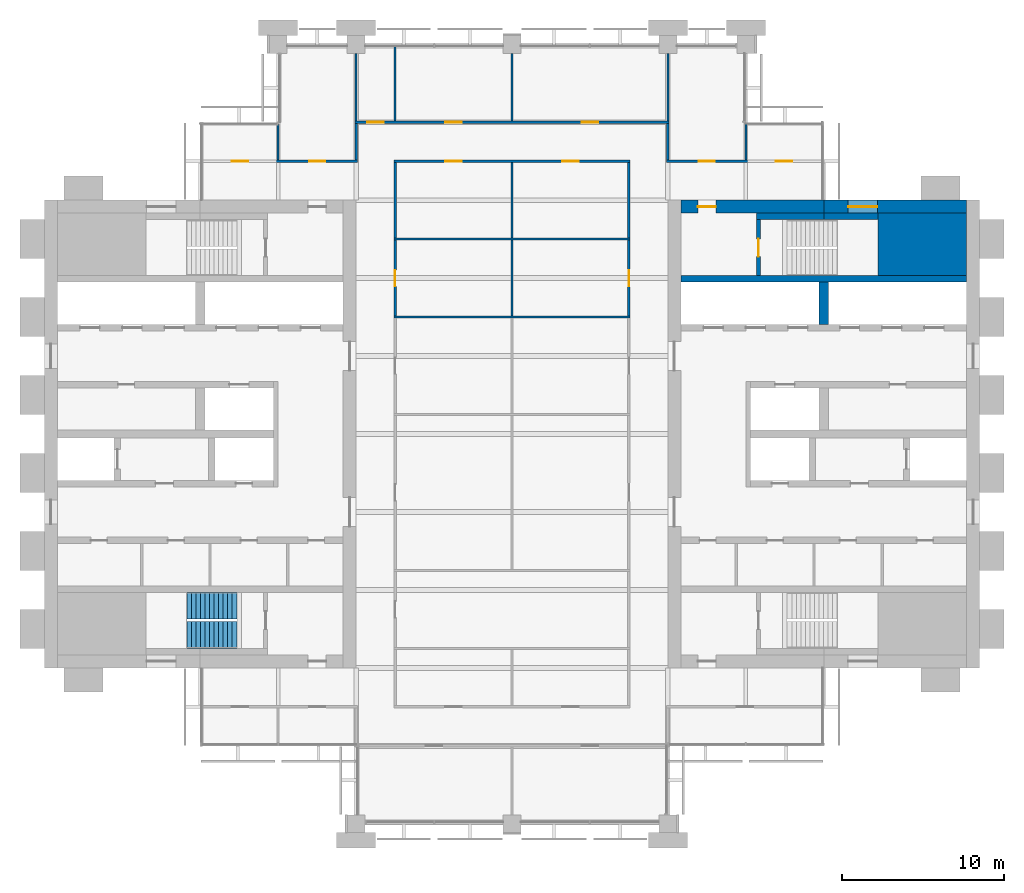
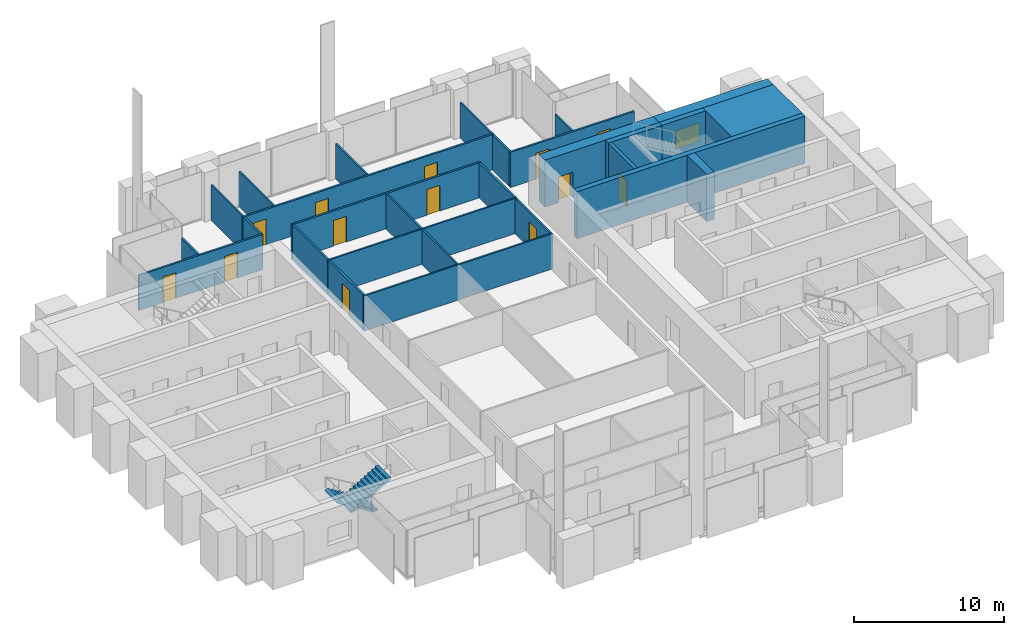
# One storey, part 11 of 13: 28 walls, 13 doors, 2 stair flights, 1 window, 14 openings, 1 element without a shape of its own.
"""IFC4 building model written with IfcOpenShell, lengths in metres."""

from ifc_helpers import new_model, si_unit, direction, frame, frame_2d, origin, place, context, subcontext, project, spatial, polyline, rectangle, outline, extrude, material, layer, layer_set, type_object, element, fill, aggregate, save


model = new_model("IFC4")

# Units and contexts
model_context = context("Model", 3, precision=1e-05, world=origin(), true_north=direction((0.0, 1.0)))
body_context = subcontext(model_context, "Body", "Model", "MODEL_VIEW")
ifc_project = project(units=[si_unit("LENGTHUNIT", "METRE"), si_unit("AREAUNIT", "SQUARE_METRE"), si_unit("VOLUMEUNIT", "CUBIC_METRE"), si_unit("PLANEANGLEUNIT", "RADIAN"), si_unit("MASSUNIT", "GRAM", prefix="KILO")], contexts=[model_context])

# Site, building, storey
site_placement = place(None, origin())
site = spatial("IfcSite", under=ifc_project, at=site_placement, CompositionType="ELEMENT")
building_placement = place(site_placement, origin())
building = spatial("IfcBuilding", under=site, at=building_placement, Name="Baori Bourse Tower", CompositionType="ELEMENT")
storey_placement = place(building_placement, frame((0.0, 0.0, 201.199951171875)))
storey = spatial("IfcBuildingStorey", under=building, at=storey_placement, Name="L43", CompositionType="ELEMENT", Elevation=201.199951171875)

# Wall
ifc_material_1 = material(Name="Concrete f'c 50 MPa", Category="concrete")
wall_type_1 = type_object("IfcWallType", Name="Core corner block f'c 50", PredefinedType="SHEAR", material=ifc_material_1)
wall_1_placement = place(storey_placement, frame((51.35009765625, 35.675048828125, 0.0), z_axis=(0.0, 0.0, 1.0), x_axis=(1.0, 0.0, 0.0)))
element("IfcWall", 1, at=wall_1_placement, inside=storey, type_object=wall_type_1, Name="Core wall E24", PredefinedType="SHEAR", context=body_context, shape_type="SweptSolid", body=[
    extrude(rectangle(XDim=5.449951171875, YDim=3.85009765625, at=frame_2d((2.72509765625, 0.0))), origin(), (0.0, 0.0, 1.0), 3.840087890625),
])

# Wall, opening, window
ifc_material_2 = material(Name="Concrete f'c 50 MPa", Category="concrete")
ifc_layer_1 = layer(ifc_material_2, 0.800048828125)
ifc_layer_set_1 = layer_set([ifc_layer_1], Name="Core wall 800 f'c 50")
wall_type_2 = type_object("IfcWallType", Name="Core wall 800 f'c 50", PredefinedType="SHEAR", material=ifc_layer_set_1)
wall_2_placement = place(storey_placement, frame((48.0, 38.0, 0.0), z_axis=(0.0, 0.0, 1.0), x_axis=(1.0, 0.0, 0.0)))
wall_2 = element("IfcWall", 2, at=wall_2_placement, inside=storey, type_object=wall_type_2, Name="Core wall E28", PredefinedType="SHEAR", context=body_context, shape_type="SweptSolid", body=[
    extrude(rectangle(XDim=8.800048828125, YDim=0.800048828125, at=frame_2d((4.39990234375, 0.0))), origin(), (0.0, 0.0, 1.0), 3.840087890625),
])
opening_1_placement = place(wall_2_placement, frame((1.5, 0.0, 0.89990234375)))
opening_1 = element("IfcOpeningElement", 3, at=opening_1_placement, cuts=wall_2, Name="Opening L43-KW204", PredefinedType="OPENING", context=body_context, shape_type="SweptSolid", body=[
    extrude(rectangle(XDim=1.800048828125, YDim=1.5, at=frame_2d((0.89990234375, 0.75))), frame((0.0, 0.409912109375, 0.0), z_axis=(0.0, -1.0, 0.0), x_axis=(1.0, 0.0, 0.0)), (0.0, 0.0, 1.0), 0.820068359375),
])
ifc_material_3 = material(Name="Pale anodised aluminium", Category="aluminium")
window_type = type_object("IfcWindowType", Name="Stair window 1800 x 1500", PartitioningType="SINGLE_PANEL", PredefinedType="WINDOW", material=ifc_material_3)
window_placement = place(opening_1_placement, origin())
window = element("IfcWindow", 4, at=window_placement, inside=storey, type_object=window_type, Name="Stair window E L43 4", OverallHeight=1.5, OverallWidth=1.800048828125, PartitioningType="SINGLE_PANEL", PredefinedType="WINDOW", context=body_context, shape_type="SweptSolid", body=[
    extrude(rectangle(XDim=1.800048828125, YDim=1.5, at=frame_2d((0.89990234375, 0.75))), frame((0.0, 0.030029296875, 0.0), z_axis=(0.0, -1.0, 0.0), x_axis=(1.0, 0.0, 0.0)), (0.0, 0.0, 1.0), 0.06005859375),
])
fill(opening_1, window)

# Wall, opening, door
wall_3_placement = place(storey_placement, frame((39.199951171875, 38.0, 0.0), z_axis=(0.0, 0.0, 1.0), x_axis=(1.0, 0.0, 0.0)))
wall_3 = element("IfcWall", 5, at=wall_3_placement, inside=storey, type_object=wall_type_2, Name="Core wall E29", PredefinedType="SHEAR", context=body_context, shape_type="SweptSolid", body=[
    extrude(rectangle(XDim=8.800048828125, YDim=0.800048828125, at=frame_2d((4.39990234375, 0.0))), origin(), (0.0, 0.0, 1.0), 3.840087890625),
])
opening_2_placement = place(wall_3_placement, frame((1.050048828125, 0.0, 0.0)))
opening_2 = element("IfcOpeningElement", 6, at=opening_2_placement, cuts=wall_3, Name="Opening L43-D204", PredefinedType="OPENING", context=body_context, shape_type="SweptSolid", body=[
    extrude(rectangle(XDim=1.10009765625, YDim=2.10009765625, at=frame_2d((0.550048828125, 1.050048828125))), frame((0.0, 0.409912109375, 0.0), z_axis=(0.0, -1.0, 0.0), x_axis=(1.0, 0.0, 0.0)), (0.0, 0.0, 1.0), 0.820068359375),
])
ifc_material_4 = material(Name="Painted steel door", Category="steel")
door_type_1 = type_object("IfcDoorType", Name="Stair door 1100", OperationType="SINGLE_SWING_LEFT", PredefinedType="DOOR", material=ifc_material_4)
door_1_placement = place(opening_2_placement, origin())
door_1 = element("IfcDoor", 7, at=door_1_placement, inside=storey, type_object=door_type_1, Name="Stair vestibule door B E L43", OperationType="SINGLE_SWING_LEFT", OverallHeight=2.10009765625, OverallWidth=1.10009765625, PredefinedType="DOOR", context=body_context, shape_type="SweptSolid", body=[
    extrude(rectangle(XDim=1.10009765625, YDim=2.10009765625, at=frame_2d((0.550048828125, 1.050048828125))), frame((0.0, 0.02490234375, 0.0), z_axis=(0.0, -1.0, 0.0), x_axis=(1.0, 0.0, 0.0)), (0.0, 0.0, 1.0), 0.050048828125),
])
fill(opening_2, door_1)

# Wall, openings, doors
ifc_material_5 = material(Name="Gypsum board partition")
ifc_layer_2 = layer(ifc_material_5, 0.14990234375)
ifc_layer_set_2 = layer_set([ifc_layer_2], Name="Corridor partition 150")
wall_type_3 = type_object("IfcWallType", Name="Corridor partition 150", PredefinedType="PARTITIONING", material=ifc_layer_set_2)
wall_4_placement = place(storey_placement, frame((9.699951171875, 40.800048828125, 0.0), z_axis=(0.0, 0.0, 1.0), x_axis=(1.0, 0.0, 0.0)))
wall_4 = element("IfcWall", 8, at=wall_4_placement, inside=storey, type_object=wall_type_3, Name="Partition", PredefinedType="PARTITIONING", context=body_context, shape_type="SweptSolid", body=[
    extrude(rectangle(XDim=9.574951171875, YDim=0.14990234375, at=frame_2d((4.78759765625, 0.0))), origin(), (0.0, 0.0, 1.0), 2.869873046875),
])
opening_3_placement = place(wall_4_placement, frame((1.85009765625, 0.0, 0.0)))
opening_3 = element("IfcOpeningElement", 9, at=opening_3_placement, cuts=wall_4, Name="Opening L43-D08", PredefinedType="OPENING", context=body_context, shape_type="SweptSolid", body=[
    extrude(rectangle(XDim=1.0, YDim=2.10009765625, at=frame_2d((0.5, 1.050048828125))), frame((0.0, 0.0849609375, 0.0), z_axis=(0.0, -1.0, 0.0), x_axis=(1.0, 0.0, 0.0)), (0.0, 0.0, 1.0), 0.169921875),
])
opening_4_placement = place(wall_4_placement, frame((6.60009765625, 0.0, 0.0)))
opening_4 = element("IfcOpeningElement", 10, at=opening_4_placement, cuts=wall_4, Name="Opening L43-D09", PredefinedType="OPENING", context=body_context, shape_type="SweptSolid", body=[
    extrude(rectangle(XDim=1.0, YDim=2.10009765625, at=frame_2d((0.5, 1.050048828125))), frame((0.0, 0.0849609375, 0.0), z_axis=(0.0, -1.0, 0.0), x_axis=(1.0, 0.0, 0.0)), (0.0, 0.0, 1.0), 0.169921875),
])
ifc_material_6 = material(Name="Timber door leaf", Category="wood")
door_type_2 = type_object("IfcDoorType", Name="Door 1000 x 2100", OperationType="SINGLE_SWING_LEFT", PredefinedType="DOOR", material=ifc_material_6)
door_2_placement = place(opening_3_placement, origin())
door_2 = element("IfcDoor", 11, at=door_2_placement, inside=storey, type_object=door_type_2, Name="Door", OperationType="SINGLE_SWING_RIGHT", OverallHeight=2.10009765625, OverallWidth=1.0, PredefinedType="DOOR", context=body_context, shape_type="SweptSolid", body=[
    extrude(rectangle(XDim=1.0, YDim=2.10009765625, at=frame_2d((0.5, 1.050048828125))), frame((0.0, 0.02490234375, 0.0), z_axis=(0.0, -1.0, 0.0), x_axis=(1.0, 0.0, 0.0)), (0.0, 0.0, 1.0), 0.050048828125),
])
fill(opening_3, door_2)
door_3_placement = place(opening_4_placement, origin())
door_3 = element("IfcDoor", 12, at=door_3_placement, inside=storey, type_object=door_type_2, Name="Door", OperationType="SINGLE_SWING_LEFT", OverallHeight=2.10009765625, OverallWidth=1.0, PredefinedType="DOOR", context=body_context, shape_type="SweptSolid", body=[
    extrude(rectangle(XDim=1.0, YDim=2.10009765625, at=frame_2d((0.5, 1.050048828125))), frame((0.0, 0.02490234375, 0.0), z_axis=(0.0, -1.0, 0.0), x_axis=(1.0, 0.0, 0.0)), (0.0, 0.0, 1.0), 0.050048828125),
])
fill(opening_4, door_3)

wall_5_placement = place(storey_placement, frame((21.52490234375, 40.800048828125, 0.0), z_axis=(0.0, 0.0, 1.0), x_axis=(1.0, 0.0, 0.0)))
wall_5 = element("IfcWall", 13, at=wall_5_placement, inside=storey, type_object=wall_type_3, Name="Partition", PredefinedType="PARTITIONING", context=body_context, shape_type="SweptSolid", body=[
    extrude(rectangle(XDim=14.550048828125, YDim=0.14990234375, at=frame_2d((7.27490234375, 0.0))), origin(), (0.0, 0.0, 1.0), 2.869873046875),
])
opening_5_placement = place(wall_5_placement, frame((3.175048828125, 0.0, 0.0)))
opening_5 = element("IfcOpeningElement", 14, at=opening_5_placement, cuts=wall_5, Name="Opening L43-D10", PredefinedType="OPENING", context=body_context, shape_type="SweptSolid", body=[
    extrude(rectangle(XDim=1.0, YDim=2.10009765625, at=frame_2d((0.5, 1.050048828125))), frame((0.0, 0.0849609375, 0.0), z_axis=(0.0, -1.0, 0.0), x_axis=(1.0, 0.0, 0.0)), (0.0, 0.0, 1.0), 0.169921875),
])
opening_6_placement = place(wall_5_placement, frame((10.375, 0.0, 0.0)))
opening_6 = element("IfcOpeningElement", 15, at=opening_6_placement, cuts=wall_5, Name="Opening L43-D11", PredefinedType="OPENING", context=body_context, shape_type="SweptSolid", body=[
    extrude(rectangle(XDim=1.0, YDim=2.10009765625, at=frame_2d((0.5, 1.050048828125))), frame((0.0, 0.0849609375, 0.0), z_axis=(0.0, -1.0, 0.0), x_axis=(1.0, 0.0, 0.0)), (0.0, 0.0, 1.0), 0.169921875),
])
door_4_placement = place(opening_5_placement, origin())
door_4 = element("IfcDoor", 16, at=door_4_placement, inside=storey, type_object=door_type_2, Name="Door", OperationType="SINGLE_SWING_LEFT", OverallHeight=2.10009765625, OverallWidth=1.0, PredefinedType="DOOR", context=body_context, shape_type="SweptSolid", body=[
    extrude(rectangle(XDim=1.0, YDim=2.10009765625, at=frame_2d((0.5, 1.050048828125))), frame((0.0, 0.02490234375, 0.0), z_axis=(0.0, -1.0, 0.0), x_axis=(1.0, 0.0, 0.0)), (0.0, 0.0, 1.0), 0.050048828125),
])
fill(opening_5, door_4)
door_5_placement = place(opening_6_placement, origin())
door_5 = element("IfcDoor", 17, at=door_5_placement, inside=storey, type_object=door_type_2, Name="Door", OperationType="SINGLE_SWING_RIGHT", OverallHeight=2.10009765625, OverallWidth=1.0, PredefinedType="DOOR", context=body_context, shape_type="SweptSolid", body=[
    extrude(rectangle(XDim=1.0, YDim=2.10009765625, at=frame_2d((0.5, 1.050048828125))), frame((0.0, 0.02490234375, 0.0), z_axis=(0.0, -1.0, 0.0), x_axis=(1.0, 0.0, 0.0)), (0.0, 0.0, 1.0), 0.050048828125),
])
fill(opening_6, door_5)

wall_6_placement = place(storey_placement, frame((38.324951171875, 40.800048828125, 0.0), z_axis=(0.0, 0.0, 1.0), x_axis=(1.0, 0.0, 0.0)))
wall_6 = element("IfcWall", 18, at=wall_6_placement, inside=storey, type_object=wall_type_3, Name="Partition", PredefinedType="PARTITIONING", context=body_context, shape_type="SweptSolid", body=[
    extrude(rectangle(XDim=9.574951171875, YDim=0.14990234375, at=frame_2d((4.78759765625, 0.0))), origin(), (0.0, 0.0, 1.0), 2.869873046875),
])
opening_7_placement = place(wall_6_placement, frame((1.97509765625, 0.0, 0.0)))
opening_7 = element("IfcOpeningElement", 19, at=opening_7_placement, cuts=wall_6, Name="Opening L43-D12", PredefinedType="OPENING", context=body_context, shape_type="SweptSolid", body=[
    extrude(rectangle(XDim=1.0, YDim=2.10009765625, at=frame_2d((0.5, 1.050048828125))), frame((0.0, 0.0849609375, 0.0), z_axis=(0.0, -1.0, 0.0), x_axis=(1.0, 0.0, 0.0)), (0.0, 0.0, 1.0), 0.169921875),
])
opening_8_placement = place(wall_6_placement, frame((6.72509765625, 0.0, 0.0)))
opening_8 = element("IfcOpeningElement", 20, at=opening_8_placement, cuts=wall_6, Name="Opening L43-D13", PredefinedType="OPENING", context=body_context, shape_type="SweptSolid", body=[
    extrude(rectangle(XDim=1.0, YDim=2.10009765625, at=frame_2d((0.5, 1.050048828125))), frame((0.0, 0.0849609375, 0.0), z_axis=(0.0, -1.0, 0.0), x_axis=(1.0, 0.0, 0.0)), (0.0, 0.0, 1.0), 0.169921875),
])
door_6_placement = place(opening_7_placement, origin())
door_6 = element("IfcDoor", 21, at=door_6_placement, inside=storey, type_object=door_type_2, Name="Door", OperationType="SINGLE_SWING_RIGHT", OverallHeight=2.10009765625, OverallWidth=1.0, PredefinedType="DOOR", context=body_context, shape_type="SweptSolid", body=[
    extrude(rectangle(XDim=1.0, YDim=2.10009765625, at=frame_2d((0.5, 1.050048828125))), frame((0.0, 0.02490234375, 0.0), z_axis=(0.0, -1.0, 0.0), x_axis=(1.0, 0.0, 0.0)), (0.0, 0.0, 1.0), 0.050048828125),
])
fill(opening_7, door_6)
door_7_placement = place(opening_8_placement, origin())
door_7 = element("IfcDoor", 22, at=door_7_placement, inside=storey, type_object=door_type_2, Name="Door", OperationType="SINGLE_SWING_LEFT", OverallHeight=2.10009765625, OverallWidth=1.0, PredefinedType="DOOR", context=body_context, shape_type="SweptSolid", body=[
    extrude(rectangle(XDim=1.0, YDim=2.10009765625, at=frame_2d((0.5, 1.050048828125))), frame((0.0, 0.02490234375, 0.0), z_axis=(0.0, -1.0, 0.0), x_axis=(1.0, 0.0, 0.0)), (0.0, 0.0, 1.0), 0.050048828125),
])
fill(opening_8, door_7)

wall_7_placement = place(storey_placement, frame((19.125, 43.199951171875, 0.0), z_axis=(0.0, 0.0, 1.0), x_axis=(1.0, 0.0, 0.0)))
wall_7 = element("IfcWall", 23, at=wall_7_placement, inside=storey, type_object=wall_type_3, Name="Partition", PredefinedType="PARTITIONING", context=body_context, shape_type="SweptSolid", body=[
    extrude(rectangle(XDim=19.35009765625, YDim=0.14990234375, at=frame_2d((9.675048828125, 0.0))), origin(), (0.0, 0.0, 1.0), 2.869873046875),
])
opening_9_placement = place(wall_7_placement, frame((0.77490234375, 0.0, 0.0)))
opening_9 = element("IfcOpeningElement", 24, at=opening_9_placement, cuts=wall_7, Name="Opening L43-D14", PredefinedType="OPENING", context=body_context, shape_type="SweptSolid", body=[
    extrude(rectangle(XDim=1.0, YDim=2.10009765625, at=frame_2d((0.5, 1.050048828125))), frame((0.0, 0.0849609375, 0.0), z_axis=(0.0, -1.0, 0.0), x_axis=(1.0, 0.0, 0.0)), (0.0, 0.0, 1.0), 0.169921875),
])
opening_10_placement = place(wall_7_placement, frame((5.574951171875, 0.0, 0.0)))
opening_10 = element("IfcOpeningElement", 25, at=opening_10_placement, cuts=wall_7, Name="Opening L43-D15", PredefinedType="OPENING", context=body_context, shape_type="SweptSolid", body=[
    extrude(rectangle(XDim=1.0, YDim=2.10009765625, at=frame_2d((0.5, 1.050048828125))), frame((0.0, 0.0849609375, 0.0), z_axis=(0.0, -1.0, 0.0), x_axis=(1.0, 0.0, 0.0)), (0.0, 0.0, 1.0), 0.169921875),
])
opening_11_placement = place(wall_7_placement, frame((13.97509765625, 0.0, 0.0)))
opening_11 = element("IfcOpeningElement", 26, at=opening_11_placement, cuts=wall_7, Name="Opening L43-D16", PredefinedType="OPENING", context=body_context, shape_type="SweptSolid", body=[
    extrude(rectangle(XDim=1.0, YDim=2.10009765625, at=frame_2d((0.5, 1.050048828125))), frame((0.0, 0.0849609375, 0.0), z_axis=(0.0, -1.0, 0.0), x_axis=(1.0, 0.0, 0.0)), (0.0, 0.0, 1.0), 0.169921875),
])
door_8_placement = place(opening_9_placement, origin())
door_8 = element("IfcDoor", 27, at=door_8_placement, inside=storey, type_object=door_type_2, Name="Door", OperationType="SINGLE_SWING_RIGHT", OverallHeight=2.10009765625, OverallWidth=1.0, PredefinedType="DOOR", context=body_context, shape_type="SweptSolid", body=[
    extrude(rectangle(XDim=1.0, YDim=2.10009765625, at=frame_2d((0.5, 1.050048828125))), frame((0.0, 0.02490234375, 0.0), z_axis=(0.0, -1.0, 0.0), x_axis=(1.0, 0.0, 0.0)), (0.0, 0.0, 1.0), 0.050048828125),
])
fill(opening_9, door_8)
door_9_placement = place(opening_10_placement, origin())
door_9 = element("IfcDoor", 28, at=door_9_placement, inside=storey, type_object=door_type_2, Name="Door", OperationType="SINGLE_SWING_RIGHT", OverallHeight=2.10009765625, OverallWidth=1.0, PredefinedType="DOOR", context=body_context, shape_type="SweptSolid", body=[
    extrude(rectangle(XDim=1.0, YDim=2.10009765625, at=frame_2d((0.5, 1.050048828125))), frame((0.0, 0.02490234375, 0.0), z_axis=(0.0, -1.0, 0.0), x_axis=(1.0, 0.0, 0.0)), (0.0, 0.0, 1.0), 0.050048828125),
])
fill(opening_10, door_9)
door_10_placement = place(opening_11_placement, origin())
door_10 = element("IfcDoor", 29, at=door_10_placement, inside=storey, type_object=door_type_2, Name="Door", OperationType="SINGLE_SWING_LEFT", OverallHeight=2.10009765625, OverallWidth=1.0, PredefinedType="DOOR", context=body_context, shape_type="SweptSolid", body=[
    extrude(rectangle(XDim=1.0, YDim=2.10009765625, at=frame_2d((0.5, 1.050048828125))), frame((0.0, 0.02490234375, 0.0), z_axis=(0.0, -1.0, 0.0), x_axis=(1.0, 0.0, 0.0)), (0.0, 0.0, 1.0), 0.050048828125),
])
fill(opening_11, door_10)

# Wall
wall_8_placement = place(storey_placement, frame((19.199951171875, 40.875, 0.0), z_axis=(0.0, 0.0, 1.0), x_axis=(0.0, 1.0, 0.0)))
element("IfcWall", 30, at=wall_8_placement, inside=storey, type_object=wall_type_3, Name="Partition", PredefinedType="PARTITIONING", context=body_context, shape_type="SweptSolid", body=[
    extrude(rectangle(XDim=2.25, YDim=0.14990234375, at=frame_2d((1.125, 0.0))), origin(), (0.0, 0.0, 1.0), 2.869873046875),
])

# Wall, opening, door
wall_9_placement = place(storey_placement, frame((21.60009765625, 31.262451171875, 0.0), z_axis=(0.0, 0.0, 1.0), x_axis=(0.0, 1.0, 0.0)))
wall_9 = element("IfcWall", 31, at=wall_9_placement, inside=storey, type_object=wall_type_3, Name="Partition", PredefinedType="PARTITIONING", context=body_context, shape_type="SweptSolid", body=[
    extrude(rectangle(XDim=4.675048828125, YDim=0.14990234375, at=frame_2d((2.33740234375, 0.0))), origin(), (0.0, 0.0, 1.0), 2.869873046875),
])
opening_12_placement = place(wall_9_placement, frame((1.83740234375, 0.0, 0.0)))
opening_12 = element("IfcOpeningElement", 32, at=opening_12_placement, cuts=wall_9, Name="Opening L43-D20", PredefinedType="OPENING", context=body_context, shape_type="SweptSolid", body=[
    extrude(rectangle(XDim=1.0, YDim=2.10009765625, at=frame_2d((0.5, 1.050048828125))), frame((0.0, 0.0849609375, 0.0), z_axis=(0.0, -1.0, 0.0), x_axis=(1.0, 0.0, 0.0)), (0.0, 0.0, 1.0), 0.169921875),
])
door_11_placement = place(opening_12_placement, origin())
door_11 = element("IfcDoor", 33, at=door_11_placement, inside=storey, type_object=door_type_2, Name="Door", OperationType="SINGLE_SWING_RIGHT", OverallHeight=2.10009765625, OverallWidth=1.0, PredefinedType="DOOR", context=body_context, shape_type="SweptSolid", body=[
    extrude(rectangle(XDim=1.0, YDim=2.10009765625, at=frame_2d((0.5, 1.050048828125))), frame((0.0, 0.02490234375, 0.0), z_axis=(0.0, -1.0, 0.0), x_axis=(1.0, 0.0, 0.0)), (0.0, 0.0, 1.0), 0.050048828125),
])
fill(opening_12, door_11)

# Wall
wall_10_placement = place(storey_placement, frame((21.60009765625, 36.0625, 0.0), z_axis=(0.0, 0.0, 1.0), x_axis=(0.0, 1.0, 0.0)))
element("IfcWall", 34, at=wall_10_placement, inside=storey, type_object=wall_type_3, Name="Partition", PredefinedType="PARTITIONING", context=body_context, shape_type="SweptSolid", body=[
    extrude(rectangle(XDim=4.66259765625, YDim=0.14990234375, at=frame_2d((2.331298828125, 0.0))), origin(), (0.0, 0.0, 1.0), 2.869873046875),
])

# Wall, opening, door
wall_11_placement = place(storey_placement, frame((36.0, 31.262451171875, 0.0), z_axis=(0.0, 0.0, 1.0), x_axis=(0.0, 1.0, 0.0)))
wall_11 = element("IfcWall", 35, at=wall_11_placement, inside=storey, type_object=wall_type_3, Name="Partition", PredefinedType="PARTITIONING", context=body_context, shape_type="SweptSolid", body=[
    extrude(rectangle(XDim=4.675048828125, YDim=0.14990234375, at=frame_2d((2.33740234375, 0.0))), origin(), (0.0, 0.0, 1.0), 2.869873046875),
])
opening_13_placement = place(wall_11_placement, frame((1.83740234375, 0.0, 0.0)))
opening_13 = element("IfcOpeningElement", 36, at=opening_13_placement, cuts=wall_11, Name="Opening L43-D23", PredefinedType="OPENING", context=body_context, shape_type="SweptSolid", body=[
    extrude(rectangle(XDim=1.0, YDim=2.10009765625, at=frame_2d((0.5, 1.050048828125))), frame((0.0, 0.0849609375, 0.0), z_axis=(0.0, -1.0, 0.0), x_axis=(1.0, 0.0, 0.0)), (0.0, 0.0, 1.0), 0.169921875),
])
door_12_placement = place(opening_13_placement, origin())
door_12 = element("IfcDoor", 37, at=door_12_placement, inside=storey, type_object=door_type_2, Name="Door", OperationType="SINGLE_SWING_LEFT", OverallHeight=2.10009765625, OverallWidth=1.0, PredefinedType="DOOR", context=body_context, shape_type="SweptSolid", body=[
    extrude(rectangle(XDim=1.0, YDim=2.10009765625, at=frame_2d((0.5, 1.050048828125))), frame((0.0, 0.02490234375, 0.0), z_axis=(0.0, -1.0, 0.0), x_axis=(1.0, 0.0, 0.0)), (0.0, 0.0, 1.0), 0.050048828125),
])
fill(opening_13, door_12)

# Walls
wall_12_placement = place(storey_placement, frame((36.0, 36.0625, 0.0), z_axis=(0.0, 0.0, 1.0), x_axis=(0.0, 1.0, 0.0)))
element("IfcWall", 38, at=wall_12_placement, inside=storey, type_object=wall_type_3, Name="Partition", PredefinedType="PARTITIONING", context=body_context, shape_type="SweptSolid", body=[
    extrude(rectangle(XDim=4.66259765625, YDim=0.14990234375, at=frame_2d((2.331298828125, 0.0))), origin(), (0.0, 0.0, 1.0), 2.869873046875),
])
wall_13_placement = place(storey_placement, frame((38.39990234375, 40.875, 0.0), z_axis=(0.0, 0.0, 1.0), x_axis=(0.0, 1.0, 0.0)))
element("IfcWall", 39, at=wall_13_placement, inside=storey, type_object=wall_type_3, Name="Partition", PredefinedType="PARTITIONING", context=body_context, shape_type="SweptSolid", body=[
    extrude(rectangle(XDim=2.25, YDim=0.14990234375, at=frame_2d((1.125, 0.0))), origin(), (0.0, 0.0, 1.0), 2.869873046875),
])
ifc_material_7 = material(Name="Gypsum board partition")
ifc_layer_3 = layer(ifc_material_7, 0.125)
ifc_layer_set_3 = layer_set([ifc_layer_3], Name="Partition 125")
wall_type_4 = type_object("IfcWallType", Name="Partition 125", PredefinedType="PARTITIONING", material=ifc_layer_set_3)
for number, where, z_axis, x_axis, name in (
    (40, (21.52490234375, 31.199951171875, 0.0), (0.0, 0.0, 1.0), (1.0, 0.0, 0.0), "Partition"),
    (41, (21.52490234375, 36.0, 0.0), (0.0, 0.0, 1.0), (1.0, 0.0, 0.0), "Partition"),
):
    element("IfcWall", number, at=place(storey_placement, frame(where, z_axis=z_axis, x_axis=x_axis)), inside=storey, type_object=wall_type_4, Name=name, PredefinedType="PARTITIONING", context=body_context, shape_type="SweptSolid", body=[
        extrude(rectangle(XDim=14.550048828125, YDim=0.125, at=frame_2d((7.27490234375, 0.0))), origin(), (0.0, 0.0, 1.0), 2.869873046875),
    ])
wall_14_placement = place(storey_placement, frame((14.39990234375, 40.875, 0.0), z_axis=(0.0, 0.0, 1.0), x_axis=(0.0, 1.0, 0.0)))
element("IfcWall", 42, at=wall_14_placement, inside=storey, type_object=wall_type_4, Name="Partition", PredefinedType="PARTITIONING", context=body_context, shape_type="SweptSolid", body=[
    extrude(rectangle(XDim=2.22509765625, YDim=0.125, at=frame_2d((1.112548828125, 0.0))), origin(), (0.0, 0.0, 1.0), 2.869873046875),
])
wall_15_placement = place(storey_placement, frame((19.199951171875, 43.27490234375, 0.0), z_axis=(0.0, 0.0, 1.0), x_axis=(0.0, 1.0, 0.0)))
element("IfcWall", 43, at=wall_15_placement, inside=storey, type_object=wall_type_4, Name="Partition", PredefinedType="PARTITIONING", context=body_context, shape_type="SweptSolid", body=[
    extrude(rectangle(XDim=4.175048828125, YDim=0.125, at=frame_2d((2.08740234375, 0.0))), origin(), (0.0, 0.0, 1.0), 2.869873046875),
])
wall_16_placement = place(storey_placement, frame((21.60009765625, 43.27490234375, 0.0), z_axis=(0.0, 0.0, 1.0), x_axis=(0.0, 1.0, 0.0)))
element("IfcWall", 44, at=wall_16_placement, inside=storey, type_object=wall_type_4, Name="Partition", PredefinedType="PARTITIONING", context=body_context, shape_type="SweptSolid", body=[
    extrude(rectangle(XDim=4.625, YDim=0.125, at=frame_2d((2.3125, 0.0))), origin(), (0.0, 0.0, 1.0), 2.869873046875),
])
wall_17_placement = place(storey_placement, frame((28.800048828125, 31.262451171875, 0.0), z_axis=(0.0, 0.0, 1.0), x_axis=(0.0, 1.0, 0.0)))
element("IfcWall", 45, at=wall_17_placement, inside=storey, type_object=wall_type_4, Name="Partition", PredefinedType="PARTITIONING", context=body_context, shape_type="SweptSolid", body=[
    extrude(rectangle(XDim=4.675048828125, YDim=0.125, at=frame_2d((2.33740234375, 0.0))), origin(), (0.0, 0.0, 1.0), 2.869873046875),
])
wall_18_placement = place(storey_placement, frame((28.800048828125, 36.0625, 0.0), z_axis=(0.0, 0.0, 1.0), x_axis=(0.0, 1.0, 0.0)))
element("IfcWall", 46, at=wall_18_placement, inside=storey, type_object=wall_type_4, Name="Partition", PredefinedType="PARTITIONING", context=body_context, shape_type="SweptSolid", body=[
    extrude(rectangle(XDim=4.66259765625, YDim=0.125, at=frame_2d((2.331298828125, 0.0))), origin(), (0.0, 0.0, 1.0), 2.869873046875),
])
for number, where, z_axis, x_axis, name in (
    (47, (28.800048828125, 43.27490234375, 0.0), (0.0, 0.0, 1.0), (0.0, 1.0, 0.0), "Partition"),
    (48, (38.39990234375, 43.27490234375, 0.0), (0.0, 0.0, 1.0), (0.0, 1.0, 0.0), "Partition"),
):
    element("IfcWall", number, at=place(storey_placement, frame(where, z_axis=z_axis, x_axis=x_axis)), inside=storey, type_object=wall_type_4, Name=name, PredefinedType="PARTITIONING", context=body_context, shape_type="SweptSolid", body=[
        extrude(rectangle(XDim=4.175048828125, YDim=0.125, at=frame_2d((2.08740234375, 0.0))), origin(), (0.0, 0.0, 1.0), 2.869873046875),
    ])
wall_19_placement = place(storey_placement, frame((43.199951171875, 40.875, 0.0), z_axis=(0.0, 0.0, 1.0), x_axis=(0.0, 1.0, 0.0)))
element("IfcWall", 49, at=wall_19_placement, inside=storey, type_object=wall_type_4, Name="Partition", PredefinedType="PARTITIONING", context=body_context, shape_type="SweptSolid", body=[
    extrude(rectangle(XDim=2.22509765625, YDim=0.125, at=frame_2d((1.112548828125, 0.0))), origin(), (0.0, 0.0, 1.0), 2.869873046875),
])

# Wall, opening, door
ifc_material_8 = material(Name="Concrete f'c 50 MPa", Category="concrete")
ifc_layer_4 = layer(ifc_material_8, 0.25)
ifc_layer_set_4 = layer_set([ifc_layer_4], Name="Shaft wall 250 f'c 50")
wall_type_5 = type_object("IfcWallType", Name="Shaft wall 250 f'c 50", PredefinedType="SHEAR", material=ifc_layer_set_4)
wall_20_placement = place(storey_placement, frame((43.97509765625, 33.75, 0.0), z_axis=(0.0, 0.0, 1.0), x_axis=(0.0, 1.0, 0.0)))
wall_20 = element("IfcWall", 50, at=wall_20_placement, inside=storey, type_object=wall_type_5, Name="Core wall E25", PredefinedType="SHEAR", context=body_context, shape_type="SweptSolid", body=[
    extrude(rectangle(XDim=3.449951171875, YDim=0.25, at=frame_2d((1.72509765625, 0.0))), origin(), (0.0, 0.0, 1.0), 3.840087890625),
])
opening_14_placement = place(wall_20_placement, frame((1.175048828125, 0.0, 0.0)))
opening_14 = element("IfcOpeningElement", 51, at=opening_14_placement, cuts=wall_20, Name="Opening L43-D203", PredefinedType="OPENING", context=body_context, shape_type="SweptSolid", body=[
    extrude(rectangle(XDim=1.10009765625, YDim=2.10009765625, at=frame_2d((0.550048828125, 1.050048828125))), frame((0.0, 0.135009765625, 0.0), z_axis=(0.0, -1.0, 0.0), x_axis=(1.0, 0.0, 0.0)), (0.0, 0.0, 1.0), 0.27001953125),
])
door_13_placement = place(opening_14_placement, origin())
door_13 = element("IfcDoor", 52, at=door_13_placement, inside=storey, type_object=door_type_1, Name="Stair door B E L43", OperationType="SINGLE_SWING_LEFT", OverallHeight=2.10009765625, OverallWidth=1.10009765625, PredefinedType="DOOR", context=body_context, shape_type="SweptSolid", body=[
    extrude(rectangle(XDim=1.10009765625, YDim=2.10009765625, at=frame_2d((0.550048828125, 1.050048828125))), frame((0.0, 0.02490234375, 0.0), z_axis=(0.0, -1.0, 0.0), x_axis=(1.0, 0.0, 0.0)), (0.0, 0.0, 1.0), 0.050048828125),
])
fill(opening_14, door_13)

# Walls
ifc_material_9 = material(Name="Concrete f'c 50 MPa", Category="concrete")
ifc_layer_5 = layer(ifc_material_9, 0.39990234375)
ifc_layer_set_5 = layer_set([ifc_layer_5], Name="Shaft wall 400 f'c 50")
wall_type_6 = type_object("IfcWallType", Name="Shaft wall 400 f'c 50", PredefinedType="SHEAR", material=ifc_layer_set_5)
wall_21_placement = place(storey_placement, frame((39.199951171875, 33.550048828125, 0.0), z_axis=(0.0, 0.0, 1.0), x_axis=(1.0, 0.0, 0.0)))
element("IfcWall", 53, at=wall_21_placement, inside=storey, type_object=wall_type_6, Name="Core wall E23", PredefinedType="SHEAR", context=body_context, shape_type="SweptSolid", body=[
    extrude(rectangle(XDim=17.60009765625, YDim=0.39990234375, at=frame_2d((8.800048828125, 0.0))), origin(), (0.0, 0.0, 1.0), 3.840087890625),
])
wall_22_placement = place(storey_placement, frame((48.0, 37.39990234375, 0.0), z_axis=(0.0, 0.0, 1.0), x_axis=(1.0, 0.0, 0.0)))
element("IfcWall", 54, at=wall_22_placement, inside=storey, type_object=wall_type_6, Name="Core wall E26", PredefinedType="SHEAR", context=body_context, shape_type="SweptSolid", body=[
    extrude(rectangle(XDim=3.35009765625, YDim=0.39990234375, at=frame_2d((1.675048828125, 0.0))), origin(), (0.0, 0.0, 1.0), 3.840087890625),
])
wall_23_placement = place(storey_placement, frame((43.85009765625, 37.39990234375, 0.0), z_axis=(0.0, 0.0, 1.0), x_axis=(1.0, 0.0, 0.0)))
element("IfcWall", 55, at=wall_23_placement, inside=storey, type_object=wall_type_6, Name="Core wall E27", PredefinedType="SHEAR", context=body_context, shape_type="SweptSolid", body=[
    extrude(rectangle(XDim=4.14990234375, YDim=0.39990234375, at=frame_2d((2.074951171875, 0.0))), origin(), (0.0, 0.0, 1.0), 3.840087890625),
])
ifc_material_10 = material(Name="Concrete f'c 50 MPa", Category="concrete")
ifc_layer_6 = layer(ifc_material_10, 0.60009765625)
ifc_layer_set_6 = layer_set([ifc_layer_6], Name="Shaft wall 600 f'c 50")
wall_type_7 = type_object("IfcWallType", Name="Shaft wall 600 f'c 50", PredefinedType="SHEAR", material=ifc_layer_set_6)
wall_24_placement = place(storey_placement, frame((48.0, 30.75, 0.0), z_axis=(0.0, 0.0, 1.0), x_axis=(0.0, 1.0, 0.0)))
element("IfcWall", 56, at=wall_24_placement, inside=storey, type_object=wall_type_7, Name="Core wall E22", PredefinedType="SHEAR", context=body_context, shape_type="SweptSolid", body=[
    extrude(rectangle(XDim=2.60009765625, YDim=0.60009765625, at=frame_2d((1.300048828125, 0.0))), origin(), (0.0, 0.0, 1.0), 3.840087890625),
])

# Stair, stair flights
ifc_material_11 = material(Name="Concrete f'c 50 MPa", Category="concrete")
stair_type = type_object("IfcStairType", Name="Core stair", PredefinedType="HALF_TURN_STAIR", material=ifc_material_11)
stair_placement = place(storey_placement, origin())
stair = element("IfcStair", 57, at=stair_placement, inside=storey, type_object=stair_type, Name="L43 Stair WA", PredefinedType="HALF_TURN_STAIR")
ifc_material_12 = material(Name="Concrete f'c 50 MPa", Category="concrete")
stair_flight_type = type_object("IfcStairFlightType", Name="Core stair flight", PredefinedType="STRAIGHT", material=ifc_material_12)
stair_flight_1_placement = place(storey_placement, frame((11.85009765625, 13.425048828125, 0.0), z_axis=(0.0, 0.0, 1.0), x_axis=(-1.0, 0.0, 0.0)))
stair_flight_1 = element("IfcStairFlight", 58, at=stair_flight_1_placement, type_object=stair_flight_type, Name="ST1 flight 1", NumberOfRisers=12, NumberOfTreads=11, PredefinedType="STRAIGHT", RiserHeight=0.166666667, TreadLength=0.28, context=body_context, shape_type="SweptSolid", body=[
    extrude(outline(polyline([(0.0, 0.0), (0.0, 0.166748046875), (0.280029296875, 0.166748046875), (0.280029296875, 0.333251953125), (0.56005859375, 0.333251953125), (0.56005859375, 0.5), (0.840087890625, 0.5), (0.840087890625, 0.666748046875), (1.1201171875, 0.666748046875), (1.1201171875, 0.833251953125), (1.39990234375, 0.833251953125), (1.39990234375, 1.0), (1.679931640625, 1.0), (1.679931640625, 1.166748046875), (1.9599609375, 1.166748046875), (1.9599609375, 1.333251953125), (2.239990234375, 1.333251953125), (2.239990234375, 1.5), (2.52001953125, 1.5), (2.52001953125, 1.666748046875), (2.800048828125, 1.666748046875), (2.800048828125, 1.833251953125), (3.080078125, 1.833251953125), (3.080078125, 2.0), (3.080078125, 1.658935546875), (0.29296875, 0.0), (0.0, 0.0)])), frame((0.0, 0.824951171875, 0.0), z_axis=(0.0, -1.0, 0.0), x_axis=(1.0, 0.0, 0.0)), (0.0, 0.0, 1.0), 1.64990234375),
])
stair_flight_2_placement = place(storey_placement, frame((8.77001953125, 11.625, 2.0), z_axis=(0.0, 0.0, 1.0), x_axis=(1.0, 0.0, 0.0)))
stair_flight_2 = element("IfcStairFlight", 59, at=stair_flight_2_placement, type_object=stair_flight_type, Name="ST1 flight 2", NumberOfRisers=12, NumberOfTreads=11, PredefinedType="STRAIGHT", RiserHeight=0.166666667, TreadLength=0.28, context=body_context, shape_type="SweptSolid", body=[
    extrude(outline(polyline([(0.0, 0.0), (0.0, 0.166748046875), (0.280029296875, 0.166748046875), (0.280029296875, 0.333251953125), (0.56005859375, 0.333251953125), (0.56005859375, 0.5), (0.840087890625, 0.5), (0.840087890625, 0.666748046875), (1.1201171875, 0.666748046875), (1.1201171875, 0.833251953125), (1.39990234375, 0.833251953125), (1.39990234375, 1.0), (1.679931640625, 1.0), (1.679931640625, 1.166748046875), (1.9599609375, 1.166748046875), (1.9599609375, 1.333251953125), (2.239990234375, 1.333251953125), (2.239990234375, 1.5), (2.52001953125, 1.5), (2.52001953125, 1.666748046875), (2.800048828125, 1.666748046875), (2.800048828125, 1.833251953125), (3.080078125, 1.833251953125), (3.080078125, 2.0), (3.080078125, 1.658935546875), (0.29296875, 0.0), (0.0, 0.0)])), frame((0.0, 0.824951171875, 0.0), z_axis=(0.0, -1.0, 0.0), x_axis=(1.0, 0.0, 0.0)), (0.0, 0.0, 1.0), 1.64990234375),
])
aggregate(stair, [stair_flight_1, stair_flight_2])

save(model, "model.ifc")
